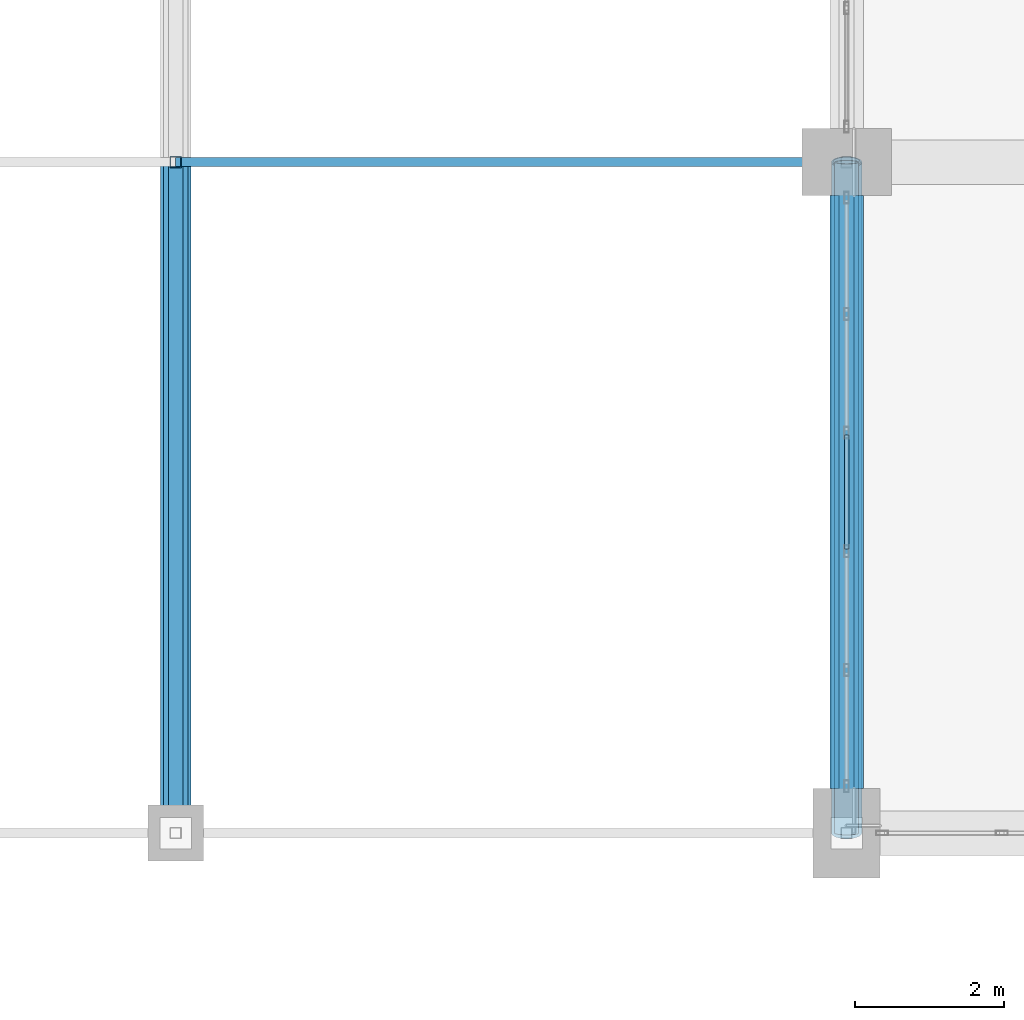
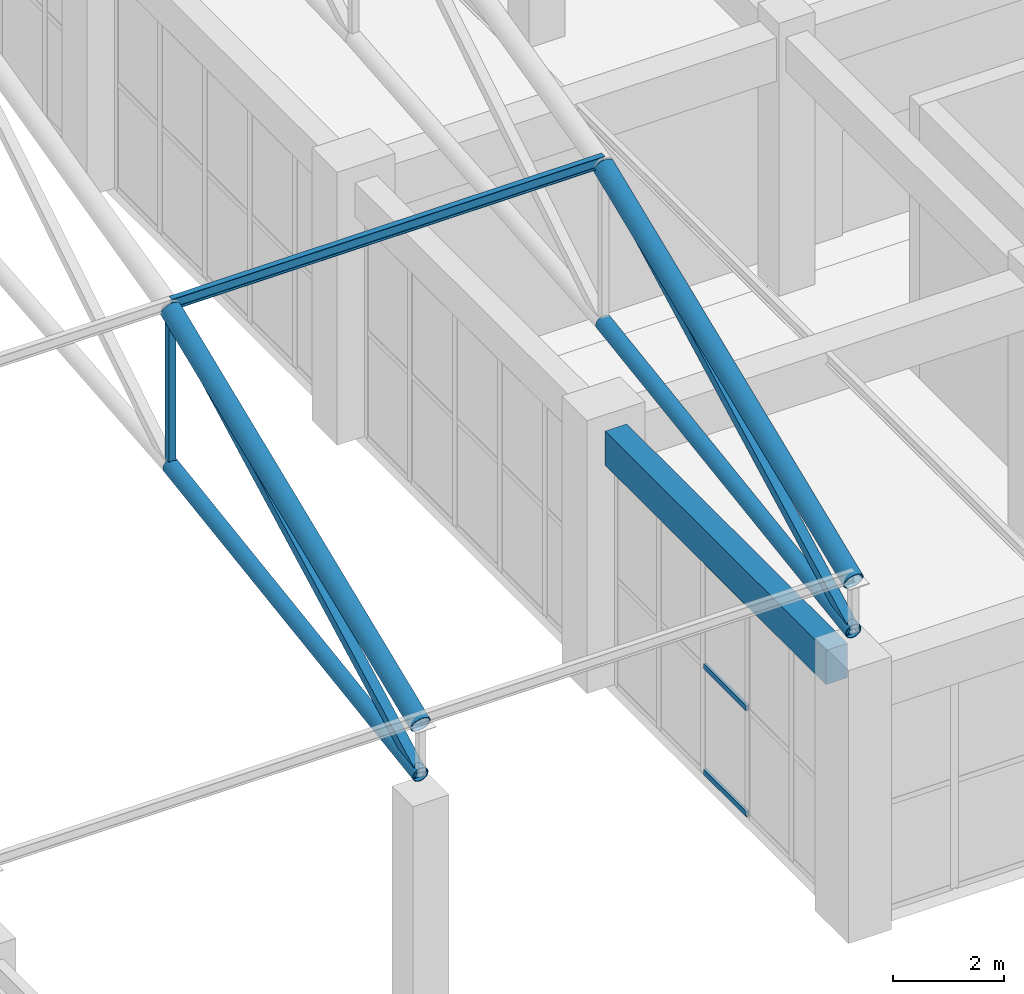
# One storey, part 91 of 223: 11 members, 1 beam, 1 element without a shape of its own.
"""IFC4 building model written with IfcOpenShell, lengths in metres."""

from ifc_helpers import new_model, si_unit, direction, frame, origin, origin_2d, place, context, subcontext, project, spatial, rectangle, hollow_rectangle, hollow_circle, i_section, extrude, material, layer, layer_set, material_profile, profile_set, type_object, element, aggregate, save


model = new_model("IFC4")

# Units and contexts
model_context = context("Model", 3, precision=1e-05, world=origin(), true_north=direction((0.0, 1.0)))
body_context = subcontext(model_context, "Body", "Model", "MODEL_VIEW")
ifc_project = project(units=[si_unit("LENGTHUNIT", "METRE"), si_unit("AREAUNIT", "SQUARE_METRE"), si_unit("VOLUMEUNIT", "CUBIC_METRE"), si_unit("PLANEANGLEUNIT", "RADIAN"), si_unit("MASSUNIT", "GRAM", prefix="KILO")], contexts=[model_context])

# Site, building, storey
site_placement = place(None, origin())
site = spatial("IfcSite", under=ifc_project, at=site_placement, CompositionType="ELEMENT")
building_placement = place(site_placement, origin())
building = spatial("IfcBuilding", under=site, at=building_placement, Name="Dornveld Trade and Exhibition Forum", CompositionType="ELEMENT")
storey_placement = place(building_placement, frame((0.0, 0.0, 6.0)))
storey = spatial("IfcBuildingStorey", under=building, at=storey_placement, Name="L01", CompositionType="ELEMENT", Elevation=6.0)

# Beam
ifc_material_1 = material(Name="Precast concrete C50/60", Category="concrete")
ifc_material_profile_1 = material_profile(ifc_material_1, rectangle(XDim=0.449951171875, YDim=0.75, at=origin_2d()), Name="PC-BM 450x750")
ifc_profile_set_1 = profile_set([ifc_material_profile_1], Name="Precast concrete C50/60")
beam_type = type_object("IfcBeamType", Name="BM-PC-450x750", PredefinedType="BEAM", material=ifc_profile_set_1)
beam_placement = place(storey_placement, frame((171.0, 108.595947265625, 5.264892578125), z_axis=(0.0, 1.0, 0.0), x_axis=(-1.0, 0.0, 0.0)))
element("IfcBeam", 1, at=beam_placement, inside=storey, type_object=beam_type, Name="L01 Y-girder 1349", PredefinedType="BEAM", context=body_context, shape_type="SweptSolid", body=[
    extrude(rectangle(XDim=0.449951171875, YDim=0.75, at=origin_2d()), origin(), (0.0, 0.0, 1.0), 7.9580078125),
])

# Curtain wall, members
ifc_material_2 = material(Name="Dark-bronze anodised aluminium and low-E glass", Category="aluminium")
ifc_layer = layer(ifc_material_2, 0.1630859375)
ifc_layer_set = layer_set([ifc_layer], Name="Dark-bronze anodised aluminium and low-E glass")
curtain_wall_type = type_object("IfcCurtainWallType", Name="CW-SYS-07", PredefinedType="USERDEFINED", material=ifc_layer_set)
curtain_wall_placement = place(storey_placement, origin())
curtain_wall = element("IfcCurtainWall", 2, at=curtain_wall_placement, inside=storey, type_object=curtain_wall_type, Name="L01 unitised curtain wall 7", ObjectType="UNITISED_CURTAIN_WALL", PredefinedType="USERDEFINED")
ifc_material_3 = material(Name="Dark-bronze anodised aluminium", Category="aluminium")
ifc_material_profile_2 = material_profile(ifc_material_3, hollow_rectangle(XDim=0.06005859375, YDim=0.1201171875, WallThickness=0.00390625, at=origin_2d()), Name="RHS 120x60x4")
ifc_profile_set_2 = profile_set([ifc_material_profile_2], Name="Dark-bronze anodised aluminium")
member_type_1 = type_object("IfcMemberType", Name="CW-TRN-120", PredefinedType="USERDEFINED", material=ifc_profile_set_2)
member_1_placement = place(storey_placement, frame((171.0, 111.80908203125, 0.02587890625), z_axis=(0.0, 1.0, 0.0), x_axis=(-1.0, 0.0, 0.0)))
member_1 = element("IfcMember", 3, at=member_1_placement, type_object=member_type_1, Name="CW-07 transom 3.1", ObjectType="TRANSOM", PredefinedType="USERDEFINED", context=body_context, shape_type="SweptSolid", body=[
    extrude(hollow_rectangle(XDim=0.06005859375, YDim=0.1201171875, WallThickness=0.00390625, at=origin_2d()), origin(), (0.0, 0.0, 1.0), 1.53173828125),
])
member_2_placement = place(storey_placement, frame((171.0, 111.80908203125, 2.347900390625), z_axis=(0.0, 1.0, 0.0), x_axis=(-1.0, 0.0, 0.0)))
member_2 = element("IfcMember", 4, at=member_2_placement, type_object=member_type_1, Name="CW-07 transom 3.2", ObjectType="TRANSOM", PredefinedType="USERDEFINED", context=body_context, shape_type="SweptSolid", body=[
    extrude(hollow_rectangle(XDim=0.06005859375, YDim=0.1201171875, WallThickness=0.00390625, at=origin_2d()), origin(), (0.0, 0.0, 1.0), 1.53173828125),
])
member_3_placement = place(storey_placement, frame((171.0, 111.80908203125, 4.669921875), z_axis=(0.0, 1.0, 0.0), x_axis=(-1.0, 0.0, 0.0)))
member_3 = element("IfcMember", 5, at=member_3_placement, type_object=member_type_1, Name="CW-07 transom 3.3", ObjectType="TRANSOM", PredefinedType="USERDEFINED", context=body_context, shape_type="SweptSolid", body=[
    extrude(hollow_rectangle(XDim=0.06005859375, YDim=0.1201171875, WallThickness=0.00390625, at=origin_2d()), origin(), (0.0, 0.0, 1.0), 1.53173828125),
])
aggregate(curtain_wall, [member_1, member_2, member_3])

# Members
ifc_material_4 = material(Name="Steel S355J2", Category="steel")
ifc_material_profile_3 = material_profile(ifc_material_4, hollow_circle(Radius=0.161865234375, WallThickness=0.01611328125, at=origin_2d()), Name="CHS 323.9x16")
ifc_profile_set_3 = profile_set([ifc_material_profile_3], Name="Steel S355J2")
member_type_2 = type_object("IfcMemberType", Name="MEM-ARCH-BC", PredefinedType="CHORD", material=ifc_profile_set_3)
for number, where, z_axis, x_axis, name in (
    (6, (162.0, 108.0, 6.35009765625), (0.0, 0.989204758987, 0.146539908551), (-1.0, 0.0, 0.0), "H1 truss 8 tie chord 1"),
    (7, (171.0, 108.0, 6.35009765625), (0.0, 0.989204758987, 0.146539908551), (-1.0, 0.0, 0.0), "H1 truss 9 tie chord 1"),
):
    element("IfcMember", number, at=place(storey_placement, frame(where, z_axis=z_axis, x_axis=x_axis)), inside=storey, type_object=member_type_2, Name=name, PredefinedType="CHORD", context=body_context, shape_type="SweptSolid", body=[
        extrude(hollow_circle(Radius=0.161865234375, WallThickness=0.01611328125, at=origin_2d()), origin(), (0.0, 0.0, 1.0), 9.09814453125),
    ])
ifc_material_5 = material(Name="Steel S355J2", Category="steel")
ifc_material_profile_4 = material_profile(ifc_material_5, hollow_rectangle(XDim=0.14990234375, YDim=0.14990234375, WallThickness=0.008056640625, at=origin_2d()), Name="SHS 150x150x8")
ifc_profile_set_4 = profile_set([ifc_material_profile_4], Name="Steel S355J2")
member_type_3 = type_object("IfcMemberType", Name="MEM-ARCH-STR", PredefinedType="STRUT", material=ifc_profile_set_4)
member_4_placement = place(storey_placement, frame((162.0, 117.0, 7.683349609375), z_axis=(0.0, 0.0, 1.0), x_axis=(1.0, 0.0, 0.0)))
element("IfcMember", 8, at=member_4_placement, inside=storey, type_object=member_type_3, Name="H1 truss 8 strut 2", PredefinedType="STRUT", context=body_context, shape_type="SweptSolid", body=[
    extrude(hollow_rectangle(XDim=0.14990234375, YDim=0.14990234375, WallThickness=0.008056640625, at=origin_2d()), origin(), (0.0, 0.0, 1.0), 3.433349609375),
])
ifc_material_6 = material(Name="Steel S355J2", Category="steel")
ifc_material_profile_5 = material_profile(ifc_material_6, hollow_circle(Radius=0.203125, WallThickness=0.02001953125, at=origin_2d()), Name="CHS 406.4x20")
ifc_profile_set_5 = profile_set([ifc_material_profile_5], Name="Steel S355J2")
member_type_4 = type_object("IfcMemberType", Name="MEM-ARCH-TC", PredefinedType="CHORD", material=ifc_profile_set_5)
for number, where, z_axis, x_axis, name in (
    (9, (162.0, 108.0, 7.449951171875), (0.0, 0.926089433793, 0.377304069177), (-1.0, 0.0, 0.0), "H1 truss 8 top chord 1"),
    (10, (171.0, 108.0, 7.449951171875), (0.0, 0.926089433793, 0.377304069177), (-1.0, 0.0, 0.0), "H1 truss 9 top chord 1"),
):
    element("IfcMember", number, at=place(storey_placement, frame(where, z_axis=z_axis, x_axis=x_axis)), inside=storey, type_object=member_type_4, Name=name, PredefinedType="CHORD", context=body_context, shape_type="SweptSolid", body=[
        extrude(hollow_circle(Radius=0.203125, WallThickness=0.02001953125, at=origin_2d()), origin(), (0.0, 0.0, 1.0), 9.71826171875),
    ])
ifc_material_7 = material(Name="Steel S355J2", Category="steel")
ifc_material_profile_6 = material_profile(ifc_material_7, hollow_rectangle(XDim=0.199951171875, YDim=0.199951171875, WallThickness=0.010009765625, at=origin_2d()), Name="SHS 200x200x10")
ifc_profile_set_6 = profile_set([ifc_material_profile_6], Name="Steel S355J2")
member_type_5 = type_object("IfcMemberType", Name="MEM-ARCH-WEB", PredefinedType="BRACE", material=ifc_profile_set_6)
for number, where, z_axis, x_axis, name in (
    (11, (162.0, 108.0, 6.35009765625), (0.0, 0.883710934211, 0.468033102201), (-1.0, 0.0, 0.0), "H1 truss 8 web 1"),
    (12, (171.0, 108.0, 6.35009765625), (0.0, 0.883710934211, 0.468033102201), (-1.0, 0.0, 0.0), "H1 truss 9 web 1"),
):
    element("IfcMember", number, at=place(storey_placement, frame(where, z_axis=z_axis, x_axis=x_axis)), inside=storey, type_object=member_type_5, Name=name, PredefinedType="BRACE", context=body_context, shape_type="SweptSolid", body=[
        extrude(hollow_rectangle(XDim=0.199951171875, YDim=0.199951171875, WallThickness=0.010009765625, at=origin_2d()), origin(), (0.0, 0.0, 1.0), 10.184326171875),
    ])
ifc_material_8 = material(Name="Steel S355J2", Category="steel")
ifc_material_profile_7 = material_profile(ifc_material_8, i_section(OverallWidth=0.1201171875, OverallDepth=0.239990234375, WebThickness=0.006103515625, FlangeThickness=0.009765625, FilletRadius=0.014892578125, at=origin_2d()), Name="IPE 240")
ifc_profile_set_7 = profile_set([ifc_material_profile_7], Name="Steel S355J2")
member_type_6 = type_object("IfcMemberType", Name="MEM-PURLIN-240", PredefinedType="PURLIN", material=ifc_profile_set_7)
member_5_placement = place(storey_placement, frame((162.0, 117.0, 11.248779296875), z_axis=(1.0, 0.0, 0.0), x_axis=(0.0, 1.0, 0.0)))
element("IfcMember", 13, at=member_5_placement, inside=storey, type_object=member_type_6, Name="H1 bay 8 roof purlin 2", PredefinedType="PURLIN", context=body_context, shape_type="SweptSolid", body=[
    extrude(i_section(OverallWidth=0.1201171875, OverallDepth=0.239990234375, WebThickness=0.006103515625, FlangeThickness=0.009765625, FilletRadius=0.014892578125, at=origin_2d()), origin(), (0.0, 0.0, 1.0), 9.0),
])

save(model, "model.ifc")
